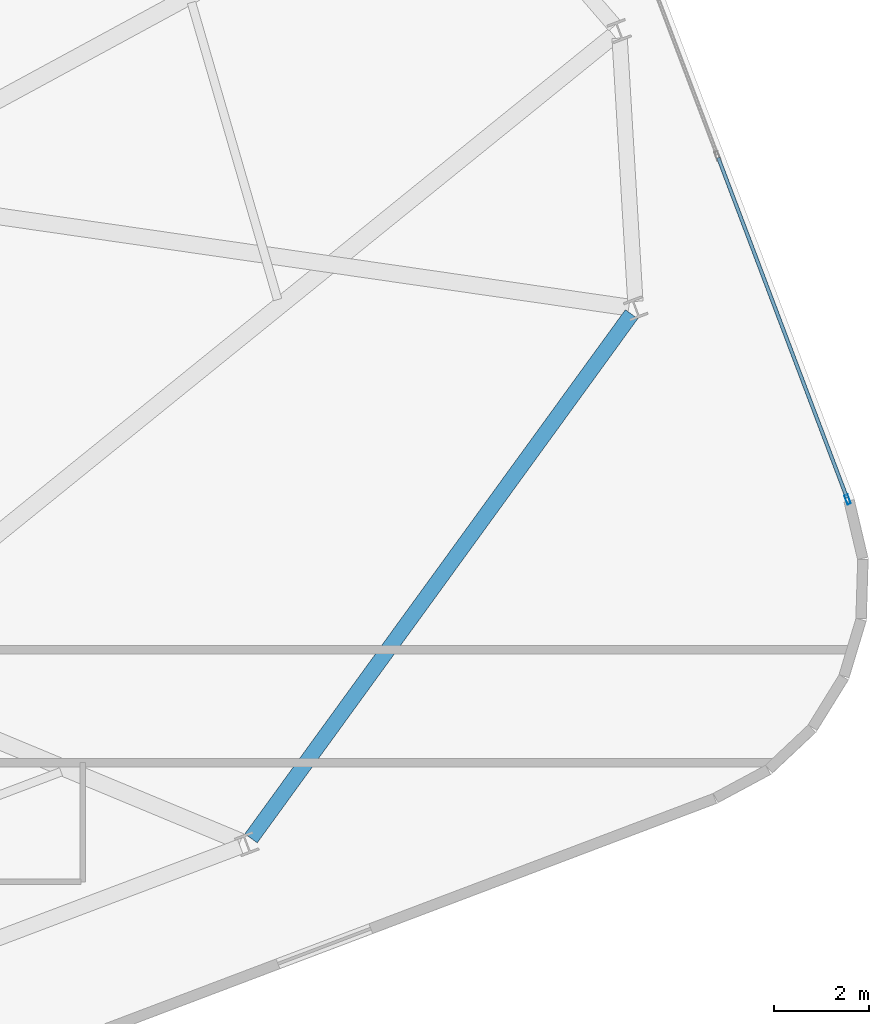
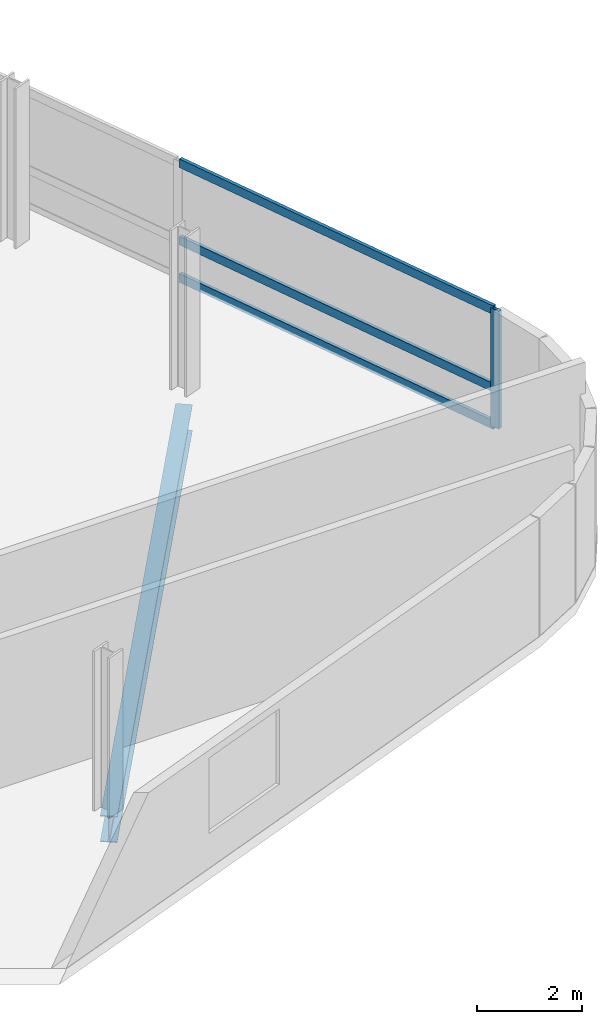
# One storey, part 11 of 20: 4 members, 1 beam, 1 element without a shape of its own.
"""IFC4 building model written with IfcOpenShell, lengths in metres."""

import ifcopenshell
import ifcopenshell.guid

model = None  # the IFC model being written
_history = None  # IfcOwnerHistory: only IFC2X3 demands one
_inside = {}  # id of a spatial element -> (the spatial element, [elements in it])
_under = {}  # id of a project, library or spatial element -> (it, [spatial elements below it])
_declared = {}  # id of a project -> (the project, [libraries it declares])
_typed = {}  # id of a type object -> (the type object, [elements of that type])
_made_of = {}  # id of a material, layer set ... -> (it, [elements and type objects made of it])


def new_model(schema):
    """Start an empty IFC model of exactly this schema.

    Asked for "IFC4X3", IfcOpenShell would pick the latest addendum, in which some entities
    have other attributes; the version numbers below select the first issue.
    IFC2X3 requires an IfcOwnerHistory on every rooted entity: one is made here for all.
    """
    global model, _history
    if schema == "IFC4X3":
        model = ifcopenshell.file(schema_version=(4, 3, 0, 0))
    else:
        model = ifcopenshell.file(schema=schema)
    _inside.clear()
    _under.clear()
    _declared.clear()
    _typed.clear()
    _made_of.clear()
    _history = None
    if model.schema == "IFC2X3":
        org = make("IfcOrganization", Name="unknown")
        user = make(
            "IfcPersonAndOrganization",
            ThePerson=make("IfcPerson", FamilyName="unknown"),
            TheOrganization=org,
        )
        app = make(
            "IfcApplication",
            ApplicationDeveloper=org,
            Version="unknown",
            ApplicationFullName="unknown",
            ApplicationIdentifier="unknown",
        )
        _history = make(
            "IfcOwnerHistory",
            OwningUser=user,
            OwningApplication=app,
            ChangeAction="ADDED",
            CreationDate=0,
        )
    return model


def make(cls, **values):
    """One entity of the class cls with the attributes given. An attribute that is None is left unset."""
    return model.create_entity(
        cls, **{name: value for name, value in values.items() if value is not None}
    )


def rooted(cls, **values):
    """An entity with a GlobalId (a new one), such as an element, a storey or a relation."""
    return make(cls, GlobalId=ifcopenshell.guid.new(), OwnerHistory=_history, **values)


def si_unit(unit_type, name, prefix=None):
    """IfcSIUnit, for example si_unit("LENGTHUNIT", "METRE", prefix="MILLI")."""
    return make("IfcSIUnit", UnitType=unit_type, Prefix=prefix, Name=name)


def assignment(units):
    """IfcUnitAssignment: the units of a project."""
    return None if units is None else make("IfcUnitAssignment", Units=units)


def point(xyz):
    """IfcCartesianPoint."""
    return None if xyz is None else make("IfcCartesianPoint", Coordinates=xyz)


def direction(xyz):
    """IfcDirection."""
    return None if xyz is None else make("IfcDirection", DirectionRatios=xyz)


def frame(location, z_axis=None, x_axis=None):
    """IfcAxis2Placement3D, a coordinate frame: its origin and axes. An axis left out is left unset."""
    return make(
        "IfcAxis2Placement3D",
        Location=point(location),
        Axis=direction(z_axis),
        RefDirection=direction(x_axis),
    )


def frame_2d(location, x_axis=None):
    """IfcAxis2Placement2D, a coordinate frame in the plane: its origin and x axis."""
    return make(
        "IfcAxis2Placement2D", Location=point(location), RefDirection=direction(x_axis)
    )


def origin():
    """The frame at (0, 0, 0) with its axes left unset."""
    return frame((0.0, 0.0, 0.0))


def origin_2d():
    """The frame at (0, 0) in the plane with its x axis left unset."""
    return frame_2d((0.0, 0.0))


def place(relative_to, where):
    """IfcLocalPlacement: puts the frame where relative to a parent placement (None: the world)."""
    return make(
        "IfcLocalPlacement", PlacementRelTo=relative_to, RelativePlacement=where
    )


def context(
    kind, dimensions, precision=None, world=None, true_north=None, identifier=None
):
    """IfcGeometricRepresentationContext, for example the 3D "Model" context."""
    return make(
        "IfcGeometricRepresentationContext",
        ContextIdentifier=identifier,
        ContextType=kind,
        CoordinateSpaceDimension=dimensions,
        Precision=precision,
        WorldCoordinateSystem=world,
        TrueNorth=true_north,
    )


def subcontext(parent, identifier, kind, view, scale=None):
    """IfcGeometricRepresentationSubContext, for example "Body" below "Model"."""
    return make(
        "IfcGeometricRepresentationSubContext",
        ContextIdentifier=identifier,
        ContextType=kind,
        ParentContext=parent,
        TargetScale=scale,
        TargetView=view,
    )


def project(units=None, contexts=None):
    """IfcProject with its units and contexts."""
    return rooted(
        "IfcProject",
        Name="project",
        RepresentationContexts=contexts,
        UnitsInContext=assignment(units),
    )


def spatial(cls, under=None, at=None, **own):
    """A site, building, storey or space (cls), placed at a placement, below another one or the project."""
    s = rooted(cls, ObjectPlacement=at, **own)
    if under is not None:
        _under.setdefault(under.id(), (under, []))[1].append(s)
    return s


def profile(cls, at=None, kind="AREA", **sizes):
    """A parametric profile (cls). Its sizes go by their IFC names, for example OverallWidth=200.0."""
    return make(cls, ProfileType=kind, Position=at, **sizes)


def hollow_rectangle(**sizes):
    """IfcRectangleHollowProfileDef."""
    return profile("IfcRectangleHollowProfileDef", **sizes)


def i_section(**sizes):
    """IfcIShapeProfileDef."""
    return profile("IfcIShapeProfileDef", **sizes)


def extrude(swept, where, along, depth):
    """IfcExtrudedAreaSolid: the profile swept, set in the frame where, extruded along a direction by depth."""
    return make(
        "IfcExtrudedAreaSolid",
        SweptArea=swept,
        Position=where,
        ExtrudedDirection=direction(along),
        Depth=depth,
    )


def shape(context_of_items, identifier, shape_type, items):
    """IfcShapeRepresentation: the items that make up one representation, for example the "Body"."""
    return make(
        "IfcShapeRepresentation",
        ContextOfItems=context_of_items,
        RepresentationIdentifier=identifier,
        RepresentationType=shape_type,
        Items=items,
    )


def material(Name=None, Category=None):
    """IfcMaterial."""
    return make("IfcMaterial", Name=Name, Category=Category)


def layer(
    of_material, thickness, ventilated=None, Name=None, Category=None, Priority=None
):
    """IfcMaterialLayer: one layer of a wall or slab, of a material (None: an air gap)."""
    return make(
        "IfcMaterialLayer",
        Material=of_material,
        LayerThickness=thickness,
        IsVentilated=ventilated,
        Name=Name,
        Category=Category,
        Priority=Priority,
    )


def layer_set(layers, Name=None):
    """IfcMaterialLayerSet."""
    return make("IfcMaterialLayerSet", MaterialLayers=layers, LayerSetName=Name)


def material_profile(
    of_material, cross_section, Name=None, Category=None, Priority=None
):
    """IfcMaterialProfile: a cross section and its material."""
    return make(
        "IfcMaterialProfile",
        Name=Name,
        Material=of_material,
        Profile=cross_section,
        Priority=Priority,
        Category=Category,
    )


def profile_set(profiles, Name=None, composite=None):
    """IfcMaterialProfileSet."""
    return make(
        "IfcMaterialProfileSet",
        Name=Name,
        MaterialProfiles=profiles,
        CompositeProfile=composite,
    )


def made_of(thing, what):
    """Note that an element or type object is made of a material, layer set ...; save() writes the relation."""
    if what is not None:
        _made_of.setdefault(what.id(), (what, []))[1].append(thing)
    return thing


def type_object(cls, material=None, **own):
    """A type object (cls), such as IfcWallType, which elements share."""
    return made_of(rooted(cls, **own), material)


def element(
    cls,
    number,
    at=None,
    inside=None,
    cuts=None,
    type_object=None,
    material=None,
    context=None,
    identifier="Body",
    shape_type=None,
    held_by="IfcProductDefinitionShape",
    body=None,
    shapes=None,
    **own,
):
    """One element of the class cls, such as IfcWall. Its Tag is "e" and its number.

    at: its placement. inside: the storey or other place that contains it. cuts: it is an
    opening in that element (IfcRelVoidsElement). A single representation is given by context,
    identifier, shape_type and body (its items); several are given by shapes. held_by: the class
    of the entity that holds the representations. save() writes the other relations.
    """
    e = rooted(cls, Tag="e%d" % number, ObjectPlacement=at, **own)
    if body is not None:
        shapes = [shape(context, identifier, shape_type, body)]
    if shapes is not None:
        e.Representation = make(held_by, Representations=shapes)
    if inside is not None:
        _inside.setdefault(inside.id(), (inside, []))[1].append(e)
    if cuts is not None:
        rooted(
            "IfcRelVoidsElement", RelatingBuildingElement=cuts, RelatedOpeningElement=e
        )
    if type_object is not None:
        _typed.setdefault(type_object.id(), (type_object, []))[1].append(e)
    return made_of(e, material)


def aggregate(whole, parts):
    """IfcRelAggregates: a whole, such as a stair, and the parts it consists of."""
    return rooted("IfcRelAggregates", RelatingObject=whole, RelatedObjects=parts)


def save(model, path):
    """Write the relations noted so far, then the file.

    IfcRelAggregates (storeys below a building ...), IfcRelContainedInSpatialStructure (elements
    in a storey), IfcRelDefinesByType, IfcRelAssociatesMaterial and IfcRelDeclares: one each for
    every whole, place, type object, material and project.
    """
    for whole, parts in _under.values():
        aggregate(whole, parts)
    for where, things in _inside.values():
        rooted(
            "IfcRelContainedInSpatialStructure",
            RelatedElements=things,
            RelatingStructure=where,
        )
    for kind, things in _typed.values():
        rooted("IfcRelDefinesByType", RelatedObjects=things, RelatingType=kind)
    for what, things in _made_of.values():
        rooted("IfcRelAssociatesMaterial", RelatedObjects=things, RelatingMaterial=what)
    for by, libraries in _declared.values():
        rooted("IfcRelDeclares", RelatingContext=by, RelatedDefinitions=libraries)
    model.write(path)


model = new_model("IFC4")

# Units and contexts
model_context = context("Model", 3, precision=1e-05, world=origin(), true_north=direction((0.0, 1.0)))
body_context = subcontext(model_context, "Body", "Model", "MODEL_VIEW")
ifc_project = project(units=[si_unit("LENGTHUNIT", "METRE"), si_unit("AREAUNIT", "SQUARE_METRE"), si_unit("VOLUMEUNIT", "CUBIC_METRE"), si_unit("PLANEANGLEUNIT", "RADIAN"), si_unit("MASSUNIT", "GRAM", prefix="KILO")], contexts=[model_context])

# Site, building, storey
site_placement = place(None, origin())
site = spatial("IfcSite", under=ifc_project, at=site_placement, CompositionType="ELEMENT")
building_placement = place(site_placement, origin())
building = spatial("IfcBuilding", under=site, at=building_placement, Name="Varnelok Gate Tower", CompositionType="ELEMENT")
storey_placement = place(building_placement, frame((0.0, 0.0, 220.10009765625)))
storey = spatial("IfcBuildingStorey", under=building, at=storey_placement, Name="L56", CompositionType="ELEMENT", Elevation=220.10009765625)

# Beam
ifc_material_1 = material(Name="Structural Steel ASTM A992 Grade 50", Category="steel")
ifc_material_profile_1 = material_profile(ifc_material_1, i_section(OverallWidth=0.323974609375, OverallDepth=0.611083984375, WebThickness=0.0126953125, FlangeThickness=0.01904296875, FilletRadius=0.01806640625, at=origin_2d()), Name="W24X104")
ifc_profile_set_1 = profile_set([ifc_material_profile_1], Name="Structural Steel ASTM A992 Grade 50")
beam_type = type_object("IfcBeamType", Name="BM-SPN-W24X104", PredefinedType="SPANDREL", material=ifc_profile_set_1)
beam_placement = place(storey_placement, frame((62.92041015625, 15.249755859375, -0.5556640625), z_axis=(0.58754084914, 0.809194507267, 0.0), x_axis=(-0.809194507267, 0.58754084914, 0.0)))
element("IfcBeam", 1, at=beam_placement, inside=storey, type_object=beam_type, Name="L56 Perimeter Spandrel Beam 5", PredefinedType="SPANDREL", context=body_context, shape_type="SweptSolid", body=[
    extrude(i_section(OverallWidth=0.323974609375, OverallDepth=0.611083984375, WebThickness=0.0126953125, FlangeThickness=0.01904296875, FilletRadius=0.01806640625, at=origin_2d()), origin(), (0.0, 0.0, 1.0), 13.695556640625),
])

# Curtain wall, members
ifc_material_2 = material(Name="Anodized Aluminum Alloy 6063-T6", Category="aluminium")
ifc_layer = layer(ifc_material_2, 0.179931640625)
ifc_layer_set = layer_set([ifc_layer], Name="Anodized Aluminum Alloy 6063-T6")
curtain_wall_type = type_object("IfcCurtainWallType", Name="CW4-RESIDENCE-VISION", PredefinedType="USERDEFINED", material=ifc_layer_set)
curtain_wall_placement = place(storey_placement, origin())
curtain_wall = element("IfcCurtainWall", 2, at=curtain_wall_placement, inside=storey, type_object=curtain_wall_type, Name="L56 East End Vision Curtain Wall", ObjectType="UNITISED CURTAIN WALL", PredefinedType="USERDEFINED")
ifc_material_profile_2 = material_profile(ifc_material_2, hollow_rectangle(XDim=0.074951171875, YDim=0.199951171875, WallThickness=0.00390625, at=origin_2d()), Name="ALU200X75X4")
ifc_profile_set_2 = profile_set([ifc_material_profile_2], Name="Anodized Aluminum Alloy 6063-T6")
member_type_1 = type_object("IfcMemberType", Name="CW-MULL-200", PredefinedType="MULLION", material=ifc_profile_set_2)
member_1_placement = place(storey_placement, frame((75.534912109375, 22.41552734375, 0.0), z_axis=(0.0, 0.0, 1.0), x_axis=(0.935221557832, 0.354063042079, 0.0)))
member_1 = element("IfcMember", 3, at=member_1_placement, type_object=member_type_1, Name="CW4 mullion 5", PredefinedType="MULLION", context=body_context, shape_type="SweptSolid", body=[
    extrude(hollow_rectangle(XDim=0.074951171875, YDim=0.199951171875, WallThickness=0.00390625, at=origin_2d()), origin(), (0.0, 0.0, 1.0), 2.72998046875),
])
ifc_material_profile_3 = material_profile(ifc_material_2, hollow_rectangle(XDim=0.074951171875, YDim=0.199951171875, WallThickness=0.00390625, at=origin_2d()), Name="ALU200X75X4")
ifc_profile_set_3 = profile_set([ifc_material_profile_3], Name="Anodized Aluminum Alloy 6063-T6")
member_type_2 = type_object("IfcMemberType", Name="CW-TRAN-200", PredefinedType="USERDEFINED", material=ifc_profile_set_3)
member_2_placement = place(storey_placement, frame((72.7998046875, 29.64013671875, 0.037353515625), z_axis=(0.354062525952, -0.935221753231, 0.0), x_axis=(0.935221753231, 0.354062525952, 0.0)))
member_2 = element("IfcMember", 4, at=member_2_placement, type_object=member_type_2, Name="CW4 transom 4.1", ObjectType="TRANSOM", PredefinedType="USERDEFINED", context=body_context, shape_type="SweptSolid", body=[
    extrude(hollow_rectangle(XDim=0.074951171875, YDim=0.199951171875, WallThickness=0.00390625, at=origin_2d()), origin(), (0.0, 0.0, 1.0), 7.687744140625),
])
member_3_placement = place(storey_placement, frame((72.7998046875, 29.64013671875, 0.89990234375), z_axis=(0.354062525952, -0.935221753231, 0.0), x_axis=(0.935221753231, 0.354062525952, 0.0)))
member_3 = element("IfcMember", 5, at=member_3_placement, type_object=member_type_2, Name="CW4 transom 4.2", ObjectType="TRANSOM", PredefinedType="USERDEFINED", context=body_context, shape_type="SweptSolid", body=[
    extrude(hollow_rectangle(XDim=0.074951171875, YDim=0.199951171875, WallThickness=0.00390625, at=origin_2d()), origin(), (0.0, 0.0, 1.0), 7.687744140625),
])
member_4_placement = place(storey_placement, frame((72.7998046875, 29.64013671875, 2.6923828125), z_axis=(0.354062525952, -0.935221753231, 0.0), x_axis=(0.935221753231, 0.354062525952, 0.0)))
member_4 = element("IfcMember", 6, at=member_4_placement, type_object=member_type_2, Name="CW4 transom 4.3", ObjectType="TRANSOM", PredefinedType="USERDEFINED", context=body_context, shape_type="SweptSolid", body=[
    extrude(hollow_rectangle(XDim=0.074951171875, YDim=0.199951171875, WallThickness=0.00390625, at=origin_2d()), origin(), (0.0, 0.0, 1.0), 7.687744140625),
])
aggregate(curtain_wall, [member_1, member_2, member_3, member_4])

save(model, "model.ifc")
